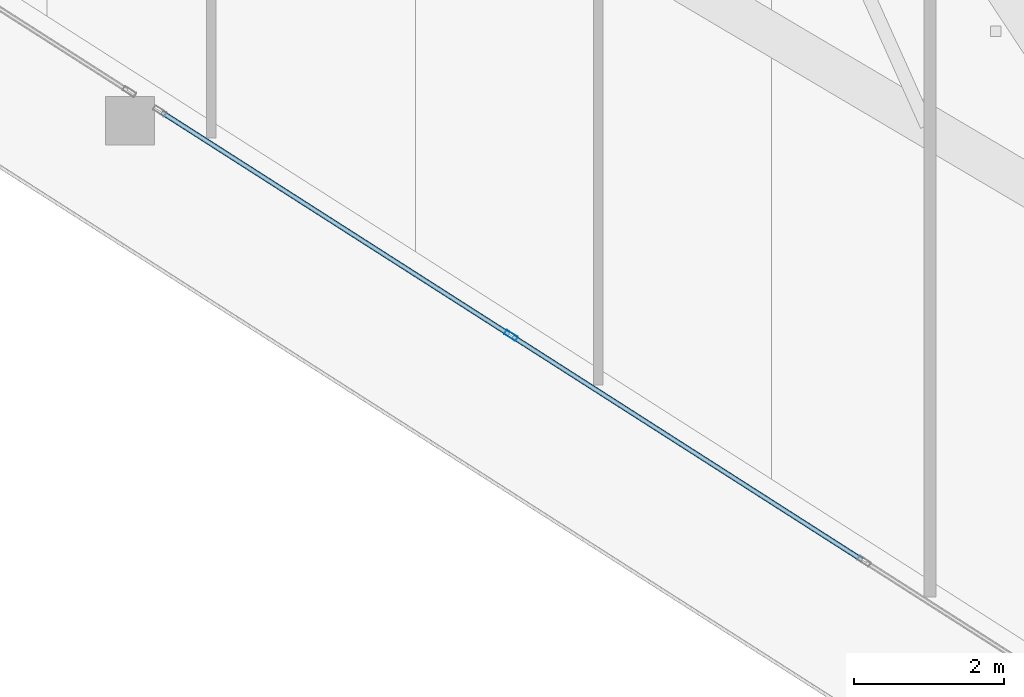
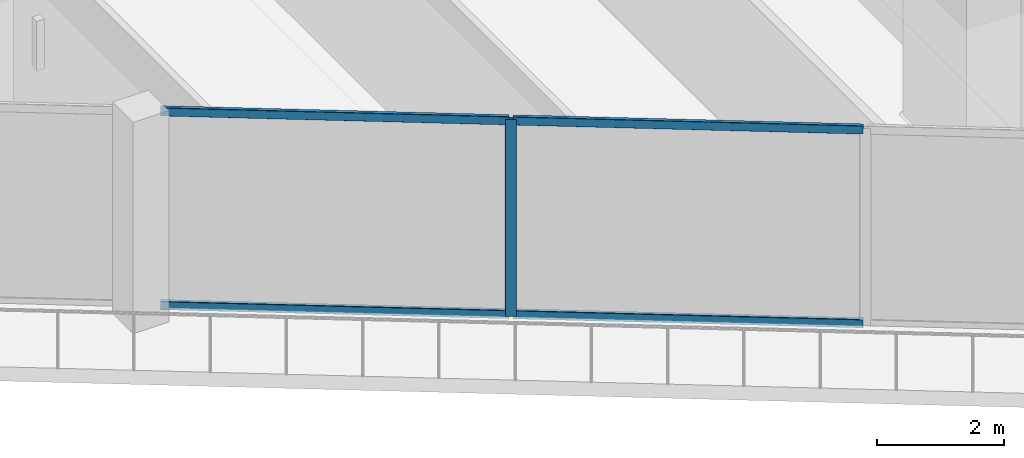
# One storey, part 3 of 37: 5 members, 1 element without a shape of its own.
"""IFC4 building model written with IfcOpenShell, lengths in metres."""

import ifcopenshell
import ifcopenshell.guid

model = None  # the IFC model being written
_history = None  # IfcOwnerHistory: only IFC2X3 demands one
_inside = {}  # id of a spatial element -> (the spatial element, [elements in it])
_under = {}  # id of a project, library or spatial element -> (it, [spatial elements below it])
_declared = {}  # id of a project -> (the project, [libraries it declares])
_typed = {}  # id of a type object -> (the type object, [elements of that type])
_made_of = {}  # id of a material, layer set ... -> (it, [elements and type objects made of it])


def new_model(schema):
    """Start an empty IFC model of exactly this schema.

    Asked for "IFC4X3", IfcOpenShell would pick the latest addendum, in which some entities
    have other attributes; the version numbers below select the first issue.
    IFC2X3 requires an IfcOwnerHistory on every rooted entity: one is made here for all.
    """
    global model, _history
    if schema == "IFC4X3":
        model = ifcopenshell.file(schema_version=(4, 3, 0, 0))
    else:
        model = ifcopenshell.file(schema=schema)
    _inside.clear()
    _under.clear()
    _declared.clear()
    _typed.clear()
    _made_of.clear()
    _history = None
    if model.schema == "IFC2X3":
        org = make("IfcOrganization", Name="unknown")
        user = make(
            "IfcPersonAndOrganization",
            ThePerson=make("IfcPerson", FamilyName="unknown"),
            TheOrganization=org,
        )
        app = make(
            "IfcApplication",
            ApplicationDeveloper=org,
            Version="unknown",
            ApplicationFullName="unknown",
            ApplicationIdentifier="unknown",
        )
        _history = make(
            "IfcOwnerHistory",
            OwningUser=user,
            OwningApplication=app,
            ChangeAction="ADDED",
            CreationDate=0,
        )
    return model


def make(cls, **values):
    """One entity of the class cls with the attributes given. An attribute that is None is left unset."""
    return model.create_entity(
        cls, **{name: value for name, value in values.items() if value is not None}
    )


def rooted(cls, **values):
    """An entity with a GlobalId (a new one), such as an element, a storey or a relation."""
    return make(cls, GlobalId=ifcopenshell.guid.new(), OwnerHistory=_history, **values)


def si_unit(unit_type, name, prefix=None):
    """IfcSIUnit, for example si_unit("LENGTHUNIT", "METRE", prefix="MILLI")."""
    return make("IfcSIUnit", UnitType=unit_type, Prefix=prefix, Name=name)


def assignment(units):
    """IfcUnitAssignment: the units of a project."""
    return None if units is None else make("IfcUnitAssignment", Units=units)


def point(xyz):
    """IfcCartesianPoint."""
    return None if xyz is None else make("IfcCartesianPoint", Coordinates=xyz)


def direction(xyz):
    """IfcDirection."""
    return None if xyz is None else make("IfcDirection", DirectionRatios=xyz)


def frame(location, z_axis=None, x_axis=None):
    """IfcAxis2Placement3D, a coordinate frame: its origin and axes. An axis left out is left unset."""
    return make(
        "IfcAxis2Placement3D",
        Location=point(location),
        Axis=direction(z_axis),
        RefDirection=direction(x_axis),
    )


def frame_2d(location, x_axis=None):
    """IfcAxis2Placement2D, a coordinate frame in the plane: its origin and x axis."""
    return make(
        "IfcAxis2Placement2D", Location=point(location), RefDirection=direction(x_axis)
    )


def origin():
    """The frame at (0, 0, 0) with its axes left unset."""
    return frame((0.0, 0.0, 0.0))


def origin_2d():
    """The frame at (0, 0) in the plane with its x axis left unset."""
    return frame_2d((0.0, 0.0))


def place(relative_to, where):
    """IfcLocalPlacement: puts the frame where relative to a parent placement (None: the world)."""
    return make(
        "IfcLocalPlacement", PlacementRelTo=relative_to, RelativePlacement=where
    )


def context(
    kind, dimensions, precision=None, world=None, true_north=None, identifier=None
):
    """IfcGeometricRepresentationContext, for example the 3D "Model" context."""
    return make(
        "IfcGeometricRepresentationContext",
        ContextIdentifier=identifier,
        ContextType=kind,
        CoordinateSpaceDimension=dimensions,
        Precision=precision,
        WorldCoordinateSystem=world,
        TrueNorth=true_north,
    )


def subcontext(parent, identifier, kind, view, scale=None):
    """IfcGeometricRepresentationSubContext, for example "Body" below "Model"."""
    return make(
        "IfcGeometricRepresentationSubContext",
        ContextIdentifier=identifier,
        ContextType=kind,
        ParentContext=parent,
        TargetScale=scale,
        TargetView=view,
    )


def project(units=None, contexts=None):
    """IfcProject with its units and contexts."""
    return rooted(
        "IfcProject",
        Name="project",
        RepresentationContexts=contexts,
        UnitsInContext=assignment(units),
    )


def spatial(cls, under=None, at=None, **own):
    """A site, building, storey or space (cls), placed at a placement, below another one or the project."""
    s = rooted(cls, ObjectPlacement=at, **own)
    if under is not None:
        _under.setdefault(under.id(), (under, []))[1].append(s)
    return s


def profile(cls, at=None, kind="AREA", **sizes):
    """A parametric profile (cls). Its sizes go by their IFC names, for example OverallWidth=200.0."""
    return make(cls, ProfileType=kind, Position=at, **sizes)


def hollow_rectangle(**sizes):
    """IfcRectangleHollowProfileDef."""
    return profile("IfcRectangleHollowProfileDef", **sizes)


def extrude(swept, where, along, depth):
    """IfcExtrudedAreaSolid: the profile swept, set in the frame where, extruded along a direction by depth."""
    return make(
        "IfcExtrudedAreaSolid",
        SweptArea=swept,
        Position=where,
        ExtrudedDirection=direction(along),
        Depth=depth,
    )


def shape(context_of_items, identifier, shape_type, items):
    """IfcShapeRepresentation: the items that make up one representation, for example the "Body"."""
    return make(
        "IfcShapeRepresentation",
        ContextOfItems=context_of_items,
        RepresentationIdentifier=identifier,
        RepresentationType=shape_type,
        Items=items,
    )


def material(Name=None, Category=None):
    """IfcMaterial."""
    return make("IfcMaterial", Name=Name, Category=Category)


def layer(
    of_material, thickness, ventilated=None, Name=None, Category=None, Priority=None
):
    """IfcMaterialLayer: one layer of a wall or slab, of a material (None: an air gap)."""
    return make(
        "IfcMaterialLayer",
        Material=of_material,
        LayerThickness=thickness,
        IsVentilated=ventilated,
        Name=Name,
        Category=Category,
        Priority=Priority,
    )


def layer_set(layers, Name=None):
    """IfcMaterialLayerSet."""
    return make("IfcMaterialLayerSet", MaterialLayers=layers, LayerSetName=Name)


def material_profile(
    of_material, cross_section, Name=None, Category=None, Priority=None
):
    """IfcMaterialProfile: a cross section and its material."""
    return make(
        "IfcMaterialProfile",
        Name=Name,
        Material=of_material,
        Profile=cross_section,
        Priority=Priority,
        Category=Category,
    )


def profile_set(profiles, Name=None, composite=None):
    """IfcMaterialProfileSet."""
    return make(
        "IfcMaterialProfileSet",
        Name=Name,
        MaterialProfiles=profiles,
        CompositeProfile=composite,
    )


def made_of(thing, what):
    """Note that an element or type object is made of a material, layer set ...; save() writes the relation."""
    if what is not None:
        _made_of.setdefault(what.id(), (what, []))[1].append(thing)
    return thing


def type_object(cls, material=None, **own):
    """A type object (cls), such as IfcWallType, which elements share."""
    return made_of(rooted(cls, **own), material)


def element(
    cls,
    number,
    at=None,
    inside=None,
    cuts=None,
    type_object=None,
    material=None,
    context=None,
    identifier="Body",
    shape_type=None,
    held_by="IfcProductDefinitionShape",
    body=None,
    shapes=None,
    **own,
):
    """One element of the class cls, such as IfcWall. Its Tag is "e" and its number.

    at: its placement. inside: the storey or other place that contains it. cuts: it is an
    opening in that element (IfcRelVoidsElement). A single representation is given by context,
    identifier, shape_type and body (its items); several are given by shapes. held_by: the class
    of the entity that holds the representations. save() writes the other relations.
    """
    e = rooted(cls, Tag="e%d" % number, ObjectPlacement=at, **own)
    if body is not None:
        shapes = [shape(context, identifier, shape_type, body)]
    if shapes is not None:
        e.Representation = make(held_by, Representations=shapes)
    if inside is not None:
        _inside.setdefault(inside.id(), (inside, []))[1].append(e)
    if cuts is not None:
        rooted(
            "IfcRelVoidsElement", RelatingBuildingElement=cuts, RelatedOpeningElement=e
        )
    if type_object is not None:
        _typed.setdefault(type_object.id(), (type_object, []))[1].append(e)
    return made_of(e, material)


def aggregate(whole, parts):
    """IfcRelAggregates: a whole, such as a stair, and the parts it consists of."""
    return rooted("IfcRelAggregates", RelatingObject=whole, RelatedObjects=parts)


def save(model, path):
    """Write the relations noted so far, then the file.

    IfcRelAggregates (storeys below a building ...), IfcRelContainedInSpatialStructure (elements
    in a storey), IfcRelDefinesByType, IfcRelAssociatesMaterial and IfcRelDeclares: one each for
    every whole, place, type object, material and project.
    """
    for whole, parts in _under.values():
        aggregate(whole, parts)
    for where, things in _inside.values():
        rooted(
            "IfcRelContainedInSpatialStructure",
            RelatedElements=things,
            RelatingStructure=where,
        )
    for kind, things in _typed.values():
        rooted("IfcRelDefinesByType", RelatedObjects=things, RelatingType=kind)
    for what, things in _made_of.values():
        rooted("IfcRelAssociatesMaterial", RelatedObjects=things, RelatingMaterial=what)
    for by, libraries in _declared.values():
        rooted("IfcRelDeclares", RelatingContext=by, RelatedDefinitions=libraries)
    model.write(path)


model = new_model("IFC4")

# Units and contexts
model_context = context("Model", 3, precision=1e-05, world=origin(), true_north=direction((0.0, 1.0)))
body_context = subcontext(model_context, "Body", "Model", "MODEL_VIEW")
ifc_project = project(units=[si_unit("LENGTHUNIT", "METRE"), si_unit("AREAUNIT", "SQUARE_METRE"), si_unit("VOLUMEUNIT", "CUBIC_METRE"), si_unit("PLANEANGLEUNIT", "RADIAN"), si_unit("MASSUNIT", "GRAM", prefix="KILO")], contexts=[model_context])

# Site, building, storey
site_placement = place(None, origin())
site = spatial("IfcSite", under=ifc_project, at=site_placement, CompositionType="ELEMENT")
building_placement = place(site_placement, origin())
building = spatial("IfcBuilding", under=site, at=building_placement, Name="Qorvath Tower", CompositionType="ELEMENT")
storey_placement = place(building_placement, frame((0.0, 0.0, 188.85009765625)))
storey = spatial("IfcBuildingStorey", under=building, at=storey_placement, Name="L43", CompositionType="ELEMENT", Elevation=188.85009765625)

# Curtain wall, members
ifc_material_1 = material(Name="Anodised aluminium and triple low-E glass", Category="aluminium")
ifc_layer = layer(ifc_material_1, 0.179931640625)
ifc_layer_set = layer_set([ifc_layer], Name="CW-SYS-3")
curtain_wall_type = type_object("IfcCurtainWallType", Name="CW-SYS-3", PredefinedType="NOTDEFINED", material=ifc_layer_set)
curtain_wall_placement = place(storey_placement, origin())
curtain_wall = element("IfcCurtainWall", 1, at=curtain_wall_placement, inside=storey, type_object=curtain_wall_type, Name="Curtain Wall CW-3 CW-T-L43-2.2", PredefinedType="NOTDEFINED")
ifc_material_2 = material(Name="Anodised aluminium 6063-T6", Category="aluminium")
ifc_material_profile_1 = material_profile(ifc_material_2, hollow_rectangle(XDim=0.06494140625, YDim=0.179931640625, WallThickness=0.00341796875, InnerFilletRadius=0.00341796875, OuterFilletRadius=0.007080078125, at=origin_2d()), Name="CWM 180x65")
ifc_profile_set_1 = profile_set([ifc_material_profile_1], Name="Anodised aluminium 6063-T6")
member_type_1 = type_object("IfcMemberType", Name="CWM-180", PredefinedType="MULLION", material=ifc_profile_set_1)
member_1_placement = place(storey_placement, frame((-25.951171875, -22.315185546875, 0.0), z_axis=(0.0, 0.0, 1.0), x_axis=(0.538531234683, 0.842605547852, 0.0)))
member_1 = element("IfcMember", 2, at=member_1_placement, type_object=member_type_1, Name="CW-3 mullion 2", PredefinedType="MULLION", context=body_context, shape_type="SweptSolid", body=[
    extrude(hollow_rectangle(XDim=0.06494140625, YDim=0.179931640625, WallThickness=0.00341796875, InnerFilletRadius=0.00341796875, OuterFilletRadius=0.007080078125, at=origin_2d()), origin(), (0.0, 0.0, 1.0), 3.77978515625),
])
ifc_material_3 = material(Name="Anodised aluminium 6063-T6", Category="aluminium")
ifc_material_profile_2 = material_profile(ifc_material_3, hollow_rectangle(XDim=0.06494140625, YDim=0.159912109375, WallThickness=0.00341796875, InnerFilletRadius=0.00341796875, OuterFilletRadius=0.007080078125, at=origin_2d()), Name="CWT 160x65")
ifc_profile_set_2 = profile_set([ifc_material_profile_2], Name="Anodised aluminium 6063-T6")
member_type_2 = type_object("IfcMemberType", Name="CWT-160", PredefinedType="USERDEFINED", material=ifc_profile_set_2)
member_2_placement = place(storey_placement, frame((-30.59130859375, -19.349609375, 0.032470703125), z_axis=(0.842618688669, -0.53851067353, 0.0), x_axis=(0.53851067353, 0.842618688669, 0.0)))
member_2 = element("IfcMember", 3, at=member_2_placement, type_object=member_type_2, Name="CW-3 transom 1.1", ObjectType="TRANSOM", PredefinedType="USERDEFINED", context=body_context, shape_type="SweptSolid", body=[
    extrude(hollow_rectangle(XDim=0.06494140625, YDim=0.159912109375, WallThickness=0.00341796875, InnerFilletRadius=0.00341796875, OuterFilletRadius=0.007080078125, at=origin_2d()), origin(), (0.0, 0.0, 1.0), 5.474365234375),
])
member_3_placement = place(storey_placement, frame((-30.59130859375, -19.349609375, 3.747314453125), z_axis=(0.842618688669, -0.53851067353, 0.0), x_axis=(0.53851067353, 0.842618688669, 0.0)))
member_3 = element("IfcMember", 4, at=member_3_placement, type_object=member_type_2, Name="CW-3 transom 1.2", ObjectType="TRANSOM", PredefinedType="USERDEFINED", context=body_context, shape_type="SweptSolid", body=[
    extrude(hollow_rectangle(XDim=0.06494140625, YDim=0.159912109375, WallThickness=0.00341796875, InnerFilletRadius=0.00341796875, OuterFilletRadius=0.007080078125, at=origin_2d()), origin(), (0.0, 0.0, 1.0), 5.474365234375),
])
member_4_placement = place(storey_placement, frame((-25.923828125, -22.33251953125, 0.032470703125), z_axis=(0.842590087519, -0.538555423718, 0.0), x_axis=(0.538555423718, 0.842590087519, 0.0)))
member_4 = element("IfcMember", 5, at=member_4_placement, type_object=member_type_2, Name="CW-3 transom 2.1", ObjectType="TRANSOM", PredefinedType="USERDEFINED", context=body_context, shape_type="SweptSolid", body=[
    extrude(hollow_rectangle(XDim=0.06494140625, YDim=0.159912109375, WallThickness=0.00341796875, InnerFilletRadius=0.00341796875, OuterFilletRadius=0.007080078125, at=origin_2d()), origin(), (0.0, 0.0, 1.0), 5.507080078125),
])
member_5_placement = place(storey_placement, frame((-25.923828125, -22.33251953125, 3.747314453125), z_axis=(0.842590087519, -0.538555423718, 0.0), x_axis=(0.538555423718, 0.842590087519, 0.0)))
member_5 = element("IfcMember", 6, at=member_5_placement, type_object=member_type_2, Name="CW-3 transom 2.2", ObjectType="TRANSOM", PredefinedType="USERDEFINED", context=body_context, shape_type="SweptSolid", body=[
    extrude(hollow_rectangle(XDim=0.06494140625, YDim=0.159912109375, WallThickness=0.00341796875, InnerFilletRadius=0.00341796875, OuterFilletRadius=0.007080078125, at=origin_2d()), origin(), (0.0, 0.0, 1.0), 5.507080078125),
])
aggregate(curtain_wall, [member_1, member_2, member_3, member_4, member_5])

save(model, "model.ifc")
